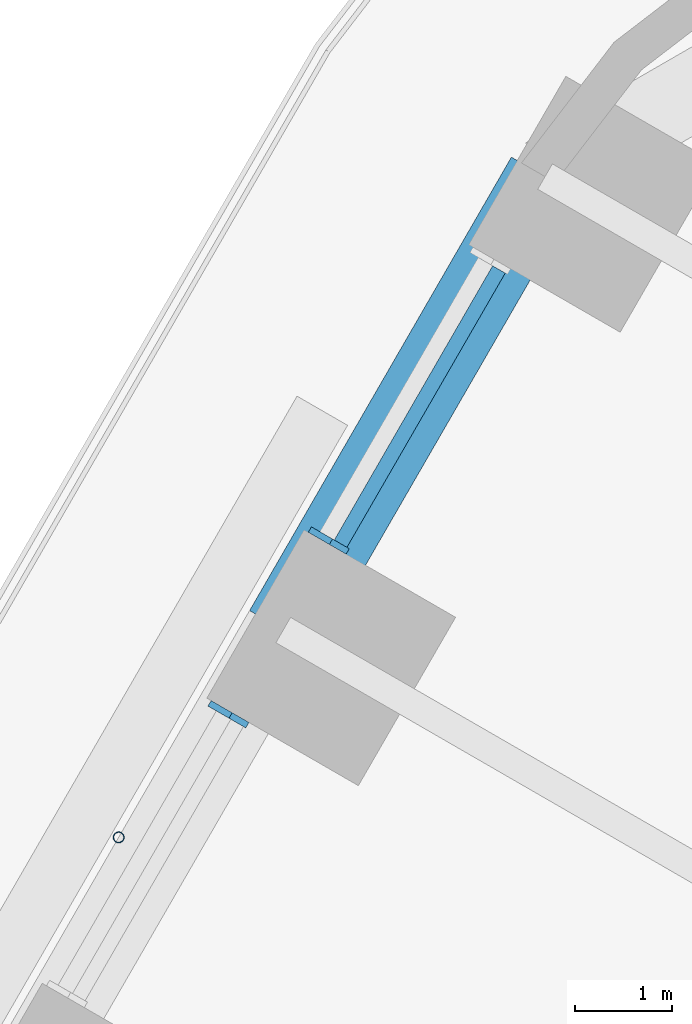
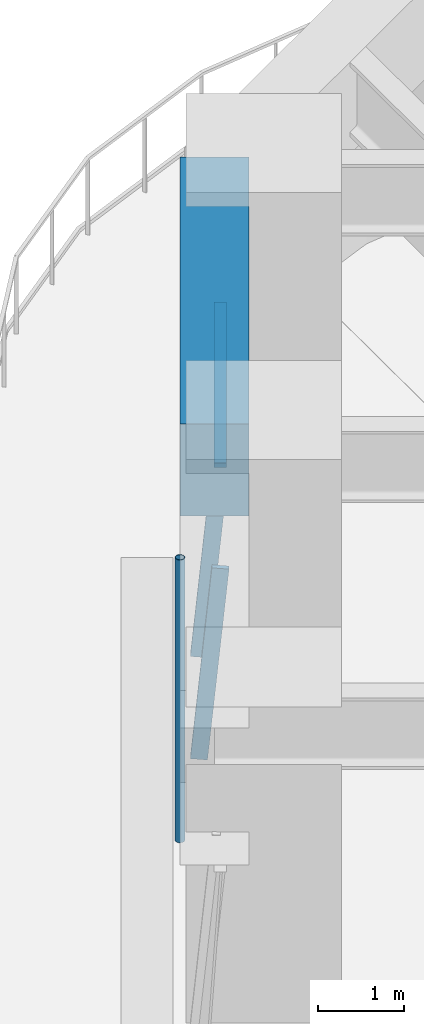
# One storey, part 9 of 23: 4 members, 1 beam, 2 elements without a shape of their own.
"""IFC4 building model written with IfcOpenShell, lengths in metres."""

from ifc_helpers import new_model, si_unit, direction, frame, origin, origin_2d, place, context, subcontext, project, spatial, rectangle, hollow_circle, extrude, material, material_profile, profile_set, type_object, element, aggregate, save


model = new_model("IFC4")

# Units and contexts
model_context = context("Model", 3, precision=1e-05, world=origin(), true_north=direction((0.0, 1.0)))
body_context = subcontext(model_context, "Body", "Model", "MODEL_VIEW")
ifc_project = project(units=[si_unit("LENGTHUNIT", "METRE"), si_unit("AREAUNIT", "SQUARE_METRE"), si_unit("VOLUMEUNIT", "CUBIC_METRE"), si_unit("PLANEANGLEUNIT", "RADIAN"), si_unit("MASSUNIT", "GRAM", prefix="KILO")], contexts=[model_context])

# Site, building, storey
site_placement = place(None, origin())
site = spatial("IfcSite", under=ifc_project, at=site_placement, CompositionType="ELEMENT")
building_placement = place(site_placement, origin())
building = spatial("IfcBuilding", under=site, at=building_placement, Name="Tarfa Lantern Tower", CompositionType="ELEMENT")
storey_placement = place(building_placement, frame((0.0, 0.0, 44.5)))
storey = spatial("IfcBuildingStorey", under=building, at=storey_placement, Name="L09", CompositionType="ELEMENT", Elevation=44.5)

# Curtain wall, member
ifc_material_1 = material(Name="Aluminium framed curtain wall", Category="aluminium")
curtain_wall_type = type_object("IfcCurtainWallType", Name="CW1 CANTED GLAZING LOW ZONE 2700", PredefinedType="USERDEFINED", material=ifc_material_1)
curtain_wall_1_placement = place(storey_placement, origin())
curtain_wall_1 = element("IfcCurtainWall", 1, at=curtain_wall_1_placement, inside=storey, type_object=curtain_wall_type, Name="CW1 NW L09", ObjectType="CURTAIN WALL", PredefinedType="USERDEFINED")
ifc_material_2 = material(Name="Aluminium mullion", Category="aluminium")
ifc_material_profile_1 = material_profile(ifc_material_2, rectangle(XDim=0.06494140625, YDim=0.199951171875, at=origin_2d()), Name="AL MULLION 65x200")
ifc_profile_set_1 = profile_set([ifc_material_profile_1], Name="Aluminium mullion")
member_type_1 = type_object("IfcMemberType", Name="CWM1 MULLION 65x200", PredefinedType="MULLION", material=ifc_profile_set_1)
member_1_placement = place(storey_placement, frame((-23.453369140625, 27.177490234375, 0.0), z_axis=(0.07986442134, -0.046099868913, 0.99573916077), x_axis=(0.499919672301, 0.866071776036, 0.0)))
member_1 = element("IfcMember", 2, at=member_1_placement, type_object=member_type_1, Name="CW1 mullion 2", PredefinedType="MULLION", context=body_context, shape_type="SweptSolid", body=[
    extrude(rectangle(XDim=0.06494140625, YDim=0.199951171875, at=origin_2d()), origin(), (0.0, 0.0, 1.0), 2.71142578125),
])

curtain_wall_2_placement = place(storey_placement, origin())
curtain_wall_2 = element("IfcCurtainWall", 3, at=curtain_wall_2_placement, inside=storey, type_object=curtain_wall_type, Name="CW1 NW L09", ObjectType="CURTAIN WALL", PredefinedType="USERDEFINED")
member_2_placement = place(storey_placement, frame((-24.48583984375, 25.38916015625, 0.0), z_axis=(0.07986442134, -0.046099868913, 0.99573916077), x_axis=(0.499919672301, 0.866071776036, 0.0)))
member_2 = element("IfcMember", 4, at=member_2_placement, type_object=member_type_1, Name="CW1 mullion 1", PredefinedType="MULLION", context=body_context, shape_type="SweptSolid", body=[
    extrude(rectangle(XDim=0.06494140625, YDim=0.199951171875, at=origin_2d()), origin(), (0.0, 0.0, 1.0), 2.71142578125),
])
aggregate(curtain_wall_2, [member_2])

# Member
ifc_material_3 = material(Name="Aluminium transom", Category="aluminium")
ifc_material_profile_2 = material_profile(ifc_material_3, rectangle(XDim=0.14990234375, YDim=0.06494140625, at=origin_2d()), Name="AL TRANSOM 150x65")
ifc_profile_set_2 = profile_set([ifc_material_profile_2], Name="Aluminium transom")
member_type_2 = type_object("IfcMemberType", Name="CWT1 TRANSOM 150x65", PredefinedType="USERDEFINED", material=ifc_profile_set_2)
member_3_placement = place(storey_placement, frame((-21.593994140625, 29.904296875, 2.66748046875), z_axis=(-0.499966746847, -0.86604460165, 0.0), x_axis=(0.86604460165, -0.499966746847, 0.0)))
member_3 = element("IfcMember", 5, at=member_3_placement, type_object=member_type_2, Name="CW1 transom 1.2", ObjectType="TRANSOM", PredefinedType="USERDEFINED", context=body_context, shape_type="SweptSolid", body=[
    extrude(rectangle(XDim=0.14990234375, YDim=0.06494140625, at=origin_2d()), origin(), (0.0, 0.0, 1.0), 3.258544921875),
])

aggregate(curtain_wall_1, [member_1, member_3])

# Beam
ifc_material_4 = material(Name="Concrete C80/95", Category="concrete")
ifc_material_profile_3 = material_profile(ifc_material_4, rectangle(XDim=0.800048828125, YDim=1.300048828125, at=origin_2d()), Name="RC 800x1300")
ifc_profile_set_3 = profile_set([ifc_material_profile_3], Name="Concrete C80/95")
beam_type = type_object("IfcBeamType", Name="EB1 RC 800x1300", PredefinedType="SPANDREL", material=ifc_profile_set_3)
beam_placement = place(storey_placement, frame((-21.119384765625, 30.860107421875, 3.35009765625), z_axis=(-0.499998287579, -0.866026392449, 0.0), x_axis=(0.866026392449, -0.499998287579, 0.0)))
element("IfcBeam", 6, at=beam_placement, inside=storey, type_object=beam_type, Name="Edge beam NW0", PredefinedType="SPANDREL", context=body_context, shape_type="SweptSolid", body=[
    extrude(rectangle(XDim=0.800048828125, YDim=1.300048828125, at=origin_2d()), origin(), (0.0, 0.0, 1.0), 5.388671875),
])

# Member
ifc_material_5 = material(Name="Steel S355", Category="steel")
ifc_material_profile_4 = material_profile(ifc_material_5, hollow_circle(Radius=0.05712890625, WallThickness=0.00634765625, at=origin_2d()), Name="CHS114.3x6.3")
ifc_profile_set_4 = profile_set([ifc_material_profile_4], Name="Steel S355")
member_type_3 = type_object("IfcMemberType", Name="TR1 GREEN WALL TRELLIS CHS114.3x6.3", PredefinedType="USERDEFINED", material=ifc_profile_set_4)
member_4_placement = place(storey_placement, frame((-25.50732421875, 24.06005859375, 0.0), z_axis=(0.0, 0.0, 1.0), x_axis=(1.0, 0.0, 0.0)))
element("IfcMember", 7, at=member_4_placement, inside=storey, type_object=member_type_3, Name="Trellis post NW 1", ObjectType="TRELLIS", PredefinedType="USERDEFINED", context=body_context, shape_type="SweptSolid", body=[
    extrude(hollow_circle(Radius=0.05712890625, WallThickness=0.00634765625, at=origin_2d()), origin(), (0.0, 0.0, 1.0), 4.0),
])

save(model, "model.ifc")
